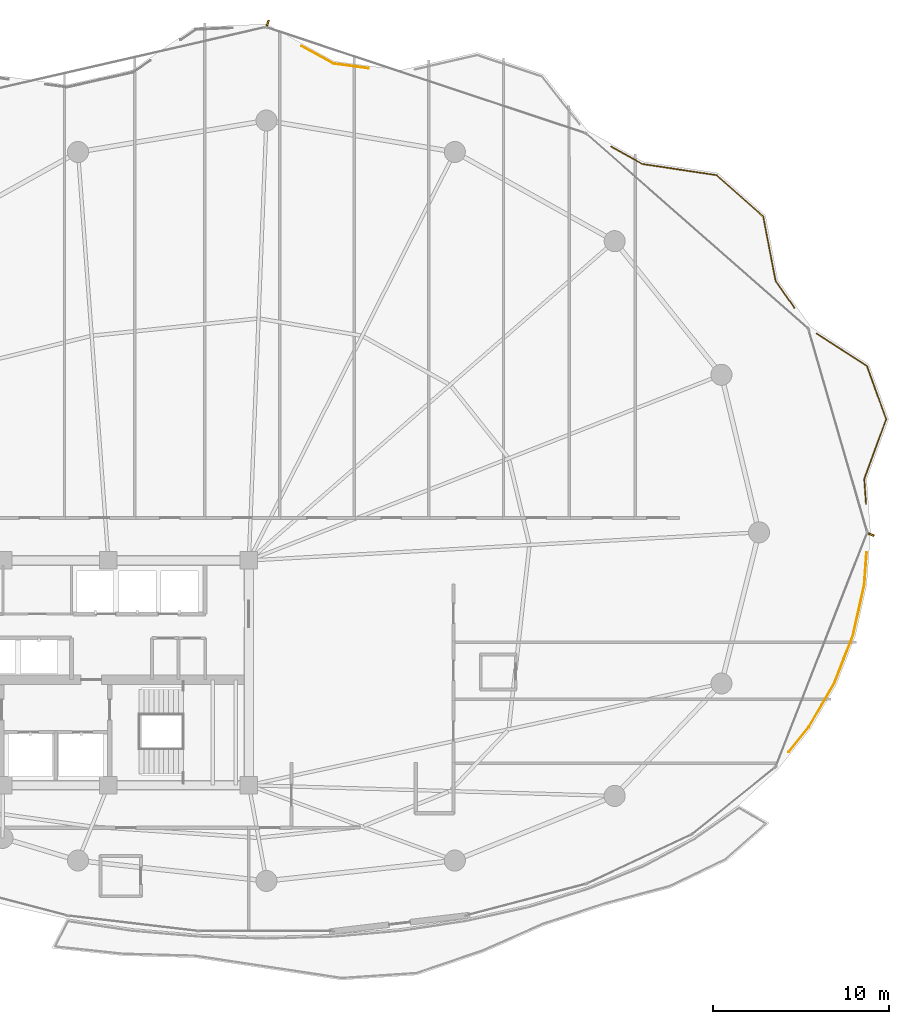
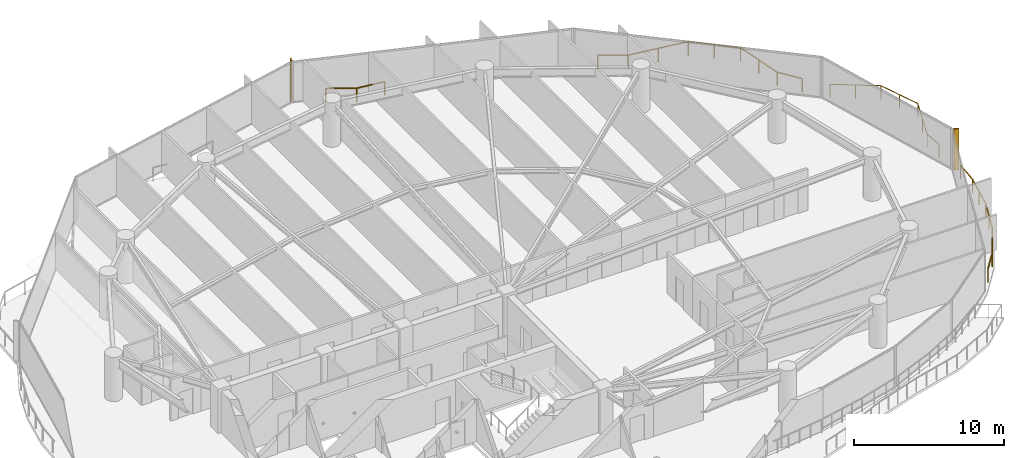
# One storey, part 34 of 34: 4 railings, 2 shading devices.
"""IFC4 building model written with IfcOpenShell, lengths in metres."""

import ifcopenshell
import ifcopenshell.guid

model = None  # the IFC model being written
_history = None  # IfcOwnerHistory: only IFC2X3 demands one
_inside = {}  # id of a spatial element -> (the spatial element, [elements in it])
_under = {}  # id of a project, library or spatial element -> (it, [spatial elements below it])
_declared = {}  # id of a project -> (the project, [libraries it declares])
_typed = {}  # id of a type object -> (the type object, [elements of that type])
_made_of = {}  # id of a material, layer set ... -> (it, [elements and type objects made of it])


def new_model(schema):
    """Start an empty IFC model of exactly this schema.

    Asked for "IFC4X3", IfcOpenShell would pick the latest addendum, in which some entities
    have other attributes; the version numbers below select the first issue.
    IFC2X3 requires an IfcOwnerHistory on every rooted entity: one is made here for all.
    """
    global model, _history
    if schema == "IFC4X3":
        model = ifcopenshell.file(schema_version=(4, 3, 0, 0))
    else:
        model = ifcopenshell.file(schema=schema)
    _inside.clear()
    _under.clear()
    _declared.clear()
    _typed.clear()
    _made_of.clear()
    _history = None
    if model.schema == "IFC2X3":
        org = make("IfcOrganization", Name="unknown")
        user = make(
            "IfcPersonAndOrganization",
            ThePerson=make("IfcPerson", FamilyName="unknown"),
            TheOrganization=org,
        )
        app = make(
            "IfcApplication",
            ApplicationDeveloper=org,
            Version="unknown",
            ApplicationFullName="unknown",
            ApplicationIdentifier="unknown",
        )
        _history = make(
            "IfcOwnerHistory",
            OwningUser=user,
            OwningApplication=app,
            ChangeAction="ADDED",
            CreationDate=0,
        )
    return model


def make(cls, **values):
    """One entity of the class cls with the attributes given. An attribute that is None is left unset."""
    return model.create_entity(
        cls, **{name: value for name, value in values.items() if value is not None}
    )


def rooted(cls, **values):
    """An entity with a GlobalId (a new one), such as an element, a storey or a relation."""
    return make(cls, GlobalId=ifcopenshell.guid.new(), OwnerHistory=_history, **values)


def si_unit(unit_type, name, prefix=None):
    """IfcSIUnit, for example si_unit("LENGTHUNIT", "METRE", prefix="MILLI")."""
    return make("IfcSIUnit", UnitType=unit_type, Prefix=prefix, Name=name)


def assignment(units):
    """IfcUnitAssignment: the units of a project."""
    return None if units is None else make("IfcUnitAssignment", Units=units)


def point(xyz):
    """IfcCartesianPoint."""
    return None if xyz is None else make("IfcCartesianPoint", Coordinates=xyz)


def direction(xyz):
    """IfcDirection."""
    return None if xyz is None else make("IfcDirection", DirectionRatios=xyz)


def frame(location, z_axis=None, x_axis=None):
    """IfcAxis2Placement3D, a coordinate frame: its origin and axes. An axis left out is left unset."""
    return make(
        "IfcAxis2Placement3D",
        Location=point(location),
        Axis=direction(z_axis),
        RefDirection=direction(x_axis),
    )


def frame_2d(location, x_axis=None):
    """IfcAxis2Placement2D, a coordinate frame in the plane: its origin and x axis."""
    return make(
        "IfcAxis2Placement2D", Location=point(location), RefDirection=direction(x_axis)
    )


def origin():
    """The frame at (0, 0, 0) with its axes left unset."""
    return frame((0.0, 0.0, 0.0))


def origin_2d():
    """The frame at (0, 0) in the plane with its x axis left unset."""
    return frame_2d((0.0, 0.0))


def place(relative_to, where):
    """IfcLocalPlacement: puts the frame where relative to a parent placement (None: the world)."""
    return make(
        "IfcLocalPlacement", PlacementRelTo=relative_to, RelativePlacement=where
    )


def context(
    kind, dimensions, precision=None, world=None, true_north=None, identifier=None
):
    """IfcGeometricRepresentationContext, for example the 3D "Model" context."""
    return make(
        "IfcGeometricRepresentationContext",
        ContextIdentifier=identifier,
        ContextType=kind,
        CoordinateSpaceDimension=dimensions,
        Precision=precision,
        WorldCoordinateSystem=world,
        TrueNorth=true_north,
    )


def subcontext(parent, identifier, kind, view, scale=None):
    """IfcGeometricRepresentationSubContext, for example "Body" below "Model"."""
    return make(
        "IfcGeometricRepresentationSubContext",
        ContextIdentifier=identifier,
        ContextType=kind,
        ParentContext=parent,
        TargetScale=scale,
        TargetView=view,
    )


def project(units=None, contexts=None):
    """IfcProject with its units and contexts."""
    return rooted(
        "IfcProject",
        Name="project",
        RepresentationContexts=contexts,
        UnitsInContext=assignment(units),
    )


def spatial(cls, under=None, at=None, **own):
    """A site, building, storey or space (cls), placed at a placement, below another one or the project."""
    s = rooted(cls, ObjectPlacement=at, **own)
    if under is not None:
        _under.setdefault(under.id(), (under, []))[1].append(s)
    return s


def profile(cls, at=None, kind="AREA", **sizes):
    """A parametric profile (cls). Its sizes go by their IFC names, for example OverallWidth=200.0."""
    return make(cls, ProfileType=kind, Position=at, **sizes)


def rectangle(**sizes):
    """IfcRectangleProfileDef."""
    return profile("IfcRectangleProfileDef", **sizes)


def extrude(swept, where, along, depth):
    """IfcExtrudedAreaSolid: the profile swept, set in the frame where, extruded along a direction by depth."""
    return make(
        "IfcExtrudedAreaSolid",
        SweptArea=swept,
        Position=where,
        ExtrudedDirection=direction(along),
        Depth=depth,
    )


def shape(context_of_items, identifier, shape_type, items):
    """IfcShapeRepresentation: the items that make up one representation, for example the "Body"."""
    return make(
        "IfcShapeRepresentation",
        ContextOfItems=context_of_items,
        RepresentationIdentifier=identifier,
        RepresentationType=shape_type,
        Items=items,
    )


def material(Name=None, Category=None):
    """IfcMaterial."""
    return make("IfcMaterial", Name=Name, Category=Category)


def made_of(thing, what):
    """Note that an element or type object is made of a material, layer set ...; save() writes the relation."""
    if what is not None:
        _made_of.setdefault(what.id(), (what, []))[1].append(thing)
    return thing


def type_object(cls, material=None, **own):
    """A type object (cls), such as IfcWallType, which elements share."""
    return made_of(rooted(cls, **own), material)


def element(
    cls,
    number,
    at=None,
    inside=None,
    cuts=None,
    type_object=None,
    material=None,
    context=None,
    identifier="Body",
    shape_type=None,
    held_by="IfcProductDefinitionShape",
    body=None,
    shapes=None,
    **own,
):
    """One element of the class cls, such as IfcWall. Its Tag is "e" and its number.

    at: its placement. inside: the storey or other place that contains it. cuts: it is an
    opening in that element (IfcRelVoidsElement). A single representation is given by context,
    identifier, shape_type and body (its items); several are given by shapes. held_by: the class
    of the entity that holds the representations. save() writes the other relations.
    """
    e = rooted(cls, Tag="e%d" % number, ObjectPlacement=at, **own)
    if body is not None:
        shapes = [shape(context, identifier, shape_type, body)]
    if shapes is not None:
        e.Representation = make(held_by, Representations=shapes)
    if inside is not None:
        _inside.setdefault(inside.id(), (inside, []))[1].append(e)
    if cuts is not None:
        rooted(
            "IfcRelVoidsElement", RelatingBuildingElement=cuts, RelatedOpeningElement=e
        )
    if type_object is not None:
        _typed.setdefault(type_object.id(), (type_object, []))[1].append(e)
    return made_of(e, material)


def aggregate(whole, parts):
    """IfcRelAggregates: a whole, such as a stair, and the parts it consists of."""
    return rooted("IfcRelAggregates", RelatingObject=whole, RelatedObjects=parts)


def save(model, path):
    """Write the relations noted so far, then the file.

    IfcRelAggregates (storeys below a building ...), IfcRelContainedInSpatialStructure (elements
    in a storey), IfcRelDefinesByType, IfcRelAssociatesMaterial and IfcRelDeclares: one each for
    every whole, place, type object, material and project.
    """
    for whole, parts in _under.values():
        aggregate(whole, parts)
    for where, things in _inside.values():
        rooted(
            "IfcRelContainedInSpatialStructure",
            RelatedElements=things,
            RelatingStructure=where,
        )
    for kind, things in _typed.values():
        rooted("IfcRelDefinesByType", RelatedObjects=things, RelatingType=kind)
    for what, things in _made_of.values():
        rooted("IfcRelAssociatesMaterial", RelatedObjects=things, RelatingMaterial=what)
    for by, libraries in _declared.values():
        rooted("IfcRelDeclares", RelatingContext=by, RelatedDefinitions=libraries)
    model.write(path)


model = new_model("IFC4")

# Units and contexts
model_context = context("Model", 3, precision=1e-05, world=origin(), true_north=direction((0.0, 1.0)))
body_context = subcontext(model_context, "Body", "Model", "MODEL_VIEW")
ifc_project = project(units=[si_unit("LENGTHUNIT", "METRE"), si_unit("AREAUNIT", "SQUARE_METRE"), si_unit("VOLUMEUNIT", "CUBIC_METRE"), si_unit("PLANEANGLEUNIT", "RADIAN"), si_unit("MASSUNIT", "GRAM", prefix="KILO")], contexts=[model_context])

# Site, building, storey
site_placement = place(None, origin())
site = spatial("IfcSite", under=ifc_project, at=site_placement, CompositionType="ELEMENT")
building_placement = place(site_placement, origin())
building = spatial("IfcBuilding", under=site, at=building_placement, Name="Kazevale Care Tower and Concert Hall", CompositionType="ELEMENT")
storey_placement = place(building_placement, frame((0.0, 0.0, 163.800048828125)))
storey = spatial("IfcBuildingStorey", under=building, at=storey_placement, Name="L43", CompositionType="ELEMENT", Elevation=163.800048828125)

# Railings
ifc_material_1 = material(Name="Anodised Bronze Aluminium and Laminated Glass", Category="aluminium")
railing_type = type_object("IfcRailingType", Name="Balcony and Terrace Balustrade 1120", PredefinedType="BALUSTRADE", material=ifc_material_1)
railing_1_placement = place(storey_placement, frame((46.9970703125, 65.69091796875, 0.0)))
element("IfcRailing", 1, at=railing_1_placement, inside=storey, type_object=railing_type, Name="rail:L43:perim:7", PredefinedType="BALUSTRADE", context=body_context, shape_type="SweptSolid", body=[
    extrude(rectangle(XDim=0.048095703125, YDim=0.048095703125, at=origin_2d()), frame((0.0, 0.0, 1.09619140625), z_axis=(0.87612356574, -0.482086607939, 0.0), x_axis=(0.482086607939, 0.87612356574, 0.0)), (0.0, 0.0, 1.0), 2.065673828125),
    extrude(rectangle(XDim=0.048095703125, YDim=0.048095703125, at=origin_2d()), frame((1.809814453125, -0.995849609375, 1.09619140625), z_axis=(0.991221543474, -0.132211390405, 0.0), x_axis=(0.132211390405, 0.991221543474, 0.0)), (0.0, 0.0, 1.0), 2.0126953125),
    extrude(rectangle(XDim=0.0419921875, YDim=0.0419921875, at=origin_2d()), origin(), (0.0, 0.0, 1.0), 1.072021484375),
    extrude(rectangle(XDim=0.0419921875, YDim=0.0419921875, at=origin_2d()), frame((1.809814453125, -0.995849609375, 0.0)), (0.0, 0.0, 1.0), 1.072021484375),
    extrude(rectangle(XDim=0.0419921875, YDim=0.0419921875, at=origin_2d()), frame((3.804931640625, -1.261962890625, 0.0)), (0.0, 0.0, 1.0), 1.072021484375),
])
railing_2_placement = place(storey_placement, frame((64.614990234375, 59.969970703125, 0.0)))
element("IfcRailing", 2, at=railing_2_placement, inside=storey, type_object=railing_type, Name="rail:L43:perim:9", PredefinedType="BALUSTRADE", context=body_context, shape_type="SweptSolid", body=[
    extrude(rectangle(XDim=0.048095703125, YDim=0.048095703125, at=origin_2d()), frame((0.0, 0.0, 1.09619140625), z_axis=(0.873734672104, -0.486402840003, 0.0), x_axis=(0.486402840003, 0.873734672104, 0.0)), (0.0, 0.0, 1.0), 2.04541015625),
    extrude(rectangle(XDim=0.048095703125, YDim=0.048095703125, at=origin_2d()), frame((1.787109375, -0.994873046875, 1.09619140625), z_axis=(0.988889933801, -0.148649584013, 0.0), x_axis=(0.148649584013, 0.988889933801, 0.0)), (0.0, 0.0, 1.0), 4.28662109375),
    extrude(rectangle(XDim=0.048095703125, YDim=0.048095703125, at=origin_2d()), frame((6.026123046875, -1.632080078125, 1.09619140625), z_axis=(0.746657358329, -0.66520883131, 0.0), x_axis=(0.66520883131, 0.746657358329, 0.0)), (0.0, 0.0, 1.0), 3.549072265625),
    extrude(rectangle(XDim=0.048095703125, YDim=0.048095703125, at=origin_2d()), frame((8.676025390625, -3.992919921875, 1.09619140625), z_axis=(0.188517658656, -0.982069800154, 0.0), x_axis=(0.982069800154, 0.188517658656, 0.0)), (0.0, 0.0, 1.0), 3.73486328125),
    extrude(rectangle(XDim=0.048095703125, YDim=0.048095703125, at=origin_2d()), frame((9.380126953125, -7.660888671875, 1.09619140625), z_axis=(0.575885416581, -0.817530419599, 0.0), x_axis=(0.817530419599, 0.575885416581, 0.0)), (0.0, 0.0, 1.0), 1.850830078125),
    extrude(rectangle(XDim=0.0419921875, YDim=0.0419921875, at=origin_2d()), origin(), (0.0, 0.0, 1.0), 1.072021484375),
    extrude(rectangle(XDim=0.0419921875, YDim=0.0419921875, at=origin_2d()), frame((1.787109375, -0.994873046875, 0.0)), (0.0, 0.0, 1.0), 1.072021484375),
    extrude(rectangle(XDim=0.0419921875, YDim=0.0419921875, at=origin_2d()), frame((3.90673828125, -1.3134765625, 0.0)), (0.0, 0.0, 1.0), 1.072021484375),
    extrude(rectangle(XDim=0.0419921875, YDim=0.0419921875, at=origin_2d()), frame((6.026123046875, -1.632080078125, 0.0)), (0.0, 0.0, 1.0), 1.072021484375),
    extrude(rectangle(XDim=0.0419921875, YDim=0.0419921875, at=origin_2d()), frame((7.35107421875, -2.8125, 0.0)), (0.0, 0.0, 1.0), 1.072021484375),
    extrude(rectangle(XDim=0.0419921875, YDim=0.0419921875, at=origin_2d()), frame((8.676025390625, -3.992919921875, 0.0)), (0.0, 0.0, 1.0), 1.072021484375),
    extrude(rectangle(XDim=0.0419921875, YDim=0.0419921875, at=origin_2d()), frame((9.028076171875, -5.826904296875, 0.0)), (0.0, 0.0, 1.0), 1.072021484375),
    extrude(rectangle(XDim=0.0419921875, YDim=0.0419921875, at=origin_2d()), frame((9.380126953125, -7.660888671875, 0.0)), (0.0, 0.0, 1.0), 1.072021484375),
    extrude(rectangle(XDim=0.0419921875, YDim=0.0419921875, at=origin_2d()), frame((10.446044921875, -9.174072265625, 0.0)), (0.0, 0.0, 1.0), 1.072021484375),
])
railing_3_placement = place(storey_placement, frame((79.176025390625, 36.844970703125, 0.0)))
element("IfcRailing", 3, at=railing_3_placement, inside=storey, type_object=railing_type, Name="rail:L43:perim:10", PredefinedType="BALUSTRADE", context=body_context, shape_type="SweptSolid", body=[
    extrude(rectangle(XDim=0.048095703125, YDim=0.048095703125, at=origin_2d()), frame((0.0, 0.0, 1.09619140625), z_axis=(-0.071578588161, -0.997434963151, 0.0), x_axis=(0.997434963151, -0.071578588161, 0.0)), (0.0, 0.0, 1.0), 1.83154296875),
    extrude(rectangle(XDim=0.048095703125, YDim=0.048095703125, at=origin_2d()), frame((-0.131103515625, -1.826904296875, 1.09619140625), z_axis=(-0.217745961145, -0.9760054797, 0.0), x_axis=(0.9760054797, -0.217745961145, 0.0)), (0.0, 0.0, 1.0), 2.94775390625),
    extrude(rectangle(XDim=0.048095703125, YDim=0.048095703125, at=origin_2d()), frame((-0.77294921875, -4.703857421875, 1.09619140625), z_axis=(-0.363468066155, -0.931606657815, 0.0), x_axis=(0.931606657815, -0.363468066155, 0.0)), (0.0, 0.0, 1.0), 2.91650390625),
    extrude(rectangle(XDim=0.048095703125, YDim=0.048095703125, at=origin_2d()), frame((-1.8330078125, -7.4208984375, 1.09619140625), z_axis=(-0.502610267332, -0.864513111047, 0.0), x_axis=(0.864513111047, -0.502610267332, 0.0)), (0.0, 0.0, 1.0), 2.9150390625),
    extrude(rectangle(XDim=0.048095703125, YDim=0.048095703125, at=origin_2d()), frame((-3.298095703125, -9.94091796875, 1.09619140625), z_axis=(-0.628318296441, -0.777956373043, 0.0), x_axis=(0.777956373043, -0.628318296441, 0.0)), (0.0, 0.0, 1.0), 1.812744140625),
    extrude(rectangle(XDim=0.0419921875, YDim=0.0419921875, at=origin_2d()), origin(), (0.0, 0.0, 1.0), 1.072021484375),
    extrude(rectangle(XDim=0.0419921875, YDim=0.0419921875, at=origin_2d()), frame((-0.131103515625, -1.826904296875, 0.0)), (0.0, 0.0, 1.0), 1.072021484375),
    extrude(rectangle(XDim=0.0419921875, YDim=0.0419921875, at=origin_2d()), frame((-0.4521484375, -3.265380859375, 0.0)), (0.0, 0.0, 1.0), 1.072021484375),
    extrude(rectangle(XDim=0.0419921875, YDim=0.0419921875, at=origin_2d()), frame((-0.77294921875, -4.703857421875, 0.0)), (0.0, 0.0, 1.0), 1.072021484375),
    extrude(rectangle(XDim=0.0419921875, YDim=0.0419921875, at=origin_2d()), frame((-1.302978515625, -6.0625, 0.0)), (0.0, 0.0, 1.0), 1.072021484375),
    extrude(rectangle(XDim=0.0419921875, YDim=0.0419921875, at=origin_2d()), frame((-1.8330078125, -7.4208984375, 0.0)), (0.0, 0.0, 1.0), 1.072021484375),
    extrude(rectangle(XDim=0.0419921875, YDim=0.0419921875, at=origin_2d()), frame((-2.5654296875, -8.680908203125, 0.0)), (0.0, 0.0, 1.0), 1.072021484375),
    extrude(rectangle(XDim=0.0419921875, YDim=0.0419921875, at=origin_2d()), frame((-3.298095703125, -9.94091796875, 0.0)), (0.0, 0.0, 1.0), 1.072021484375),
    extrude(rectangle(XDim=0.0419921875, YDim=0.0419921875, at=origin_2d()), frame((-4.43701171875, -11.35107421875, 0.0)), (0.0, 0.0, 1.0), 1.072021484375),
])
railing_4_placement = place(storey_placement, frame((76.3359375, 49.324951171875, 0.0)))
element("IfcRailing", 4, at=railing_4_placement, inside=storey, type_object=railing_type, Name="rail:L43:perim:11", PredefinedType="BALUSTRADE", context=body_context, shape_type="SweptSolid", body=[
    extrude(rectangle(XDim=0.048095703125, YDim=0.048095703125, at=origin_2d()), frame((0.0, 0.0, 1.09619140625), z_axis=(0.838906479955, -0.544275590018, 0.0), x_axis=(0.544275590018, 0.838906479955, 0.0)), (0.0, 0.0, 1.0), 3.408203125),
    extrude(rectangle(XDim=0.048095703125, YDim=0.048095703125, at=origin_2d()), frame((2.859130859375, -1.85498046875, 1.09619140625), z_axis=(0.340056192401, -0.940405118026, 0.0), x_axis=(0.940405118026, 0.340056192401, 0.0)), (0.0, 0.0, 1.0), 3.219970703125),
    extrude(rectangle(XDim=0.048095703125, YDim=0.048095703125, at=origin_2d()), frame((3.9541015625, -4.883056640625, 1.09619140625), z_axis=(-0.344686514971, -0.938717852391, 0.0), x_axis=(0.938717852391, -0.344686514971, 0.0)), (0.0, 0.0, 1.0), 3.620849609375),
    extrude(rectangle(XDim=0.048095703125, YDim=0.048095703125, at=origin_2d()), frame((2.7060546875, -8.281982421875, 1.09619140625), z_axis=(0.071504807896, -0.997440255077, 0.0), x_axis=(0.997440255077, 0.071504807896, 0.0)), (0.0, 0.0, 1.0), 1.41357421875),
    extrude(rectangle(XDim=0.0419921875, YDim=0.0419921875, at=origin_2d()), origin(), (0.0, 0.0, 1.0), 1.072021484375),
    extrude(rectangle(XDim=0.0419921875, YDim=0.0419921875, at=origin_2d()), frame((1.4296875, -0.927490234375, 0.0)), (0.0, 0.0, 1.0), 1.072021484375),
    extrude(rectangle(XDim=0.0419921875, YDim=0.0419921875, at=origin_2d()), frame((2.859130859375, -1.85498046875, 0.0)), (0.0, 0.0, 1.0), 1.072021484375),
    extrude(rectangle(XDim=0.0419921875, YDim=0.0419921875, at=origin_2d()), frame((3.40673828125, -3.369140625, 0.0)), (0.0, 0.0, 1.0), 1.072021484375),
    extrude(rectangle(XDim=0.0419921875, YDim=0.0419921875, at=origin_2d()), frame((3.9541015625, -4.883056640625, 0.0)), (0.0, 0.0, 1.0), 1.072021484375),
    extrude(rectangle(XDim=0.0419921875, YDim=0.0419921875, at=origin_2d()), frame((3.330078125, -6.58251953125, 0.0)), (0.0, 0.0, 1.0), 1.072021484375),
    extrude(rectangle(XDim=0.0419921875, YDim=0.0419921875, at=origin_2d()), frame((2.7060546875, -8.281982421875, 0.0)), (0.0, 0.0, 1.0), 1.072021484375),
    extrude(rectangle(XDim=0.0419921875, YDim=0.0419921875, at=origin_2d()), frame((2.80712890625, -9.69189453125, 0.0)), (0.0, 0.0, 1.0), 1.072021484375),
])

# Shading devices
ifc_material_2 = material(Name="Anodised Bronze Aluminium", Category="aluminium")
shading_device_type = type_object("IfcShadingDeviceType", Name="Waist Anodised Bronze-Stone Fin FIN-02", PredefinedType="USERDEFINED", material=ifc_material_2)
for number, where, z_axis, x_axis, name in (
    (5, (79.44384765625, 37.869384765625, 0.0), (0.0, 0.0, 1.0), (0.931373876365, -0.364064146031, 0.0), "cw:L43:f01:fin"),
    (6, (45.07666015625, 66.998291015625, 0.0), (0.0, 0.0, 1.0), (0.314820866332, 0.949151106053, 0.0), "cw:L43:f16:fin"),
):
    element("IfcShadingDevice", number, at=place(storey_placement, frame(where, z_axis=z_axis, x_axis=x_axis)), inside=storey, type_object=shading_device_type, Name=name, ObjectType="FIN", PredefinedType="USERDEFINED", context=body_context, shape_type="SweptSolid", body=[
        extrude(rectangle(XDim=0.340087890625, YDim=0.10009765625, at=origin_2d()), origin(), (0.0, 0.0, 1.0), 3.360107421875),
    ])

save(model, "model.ifc")
